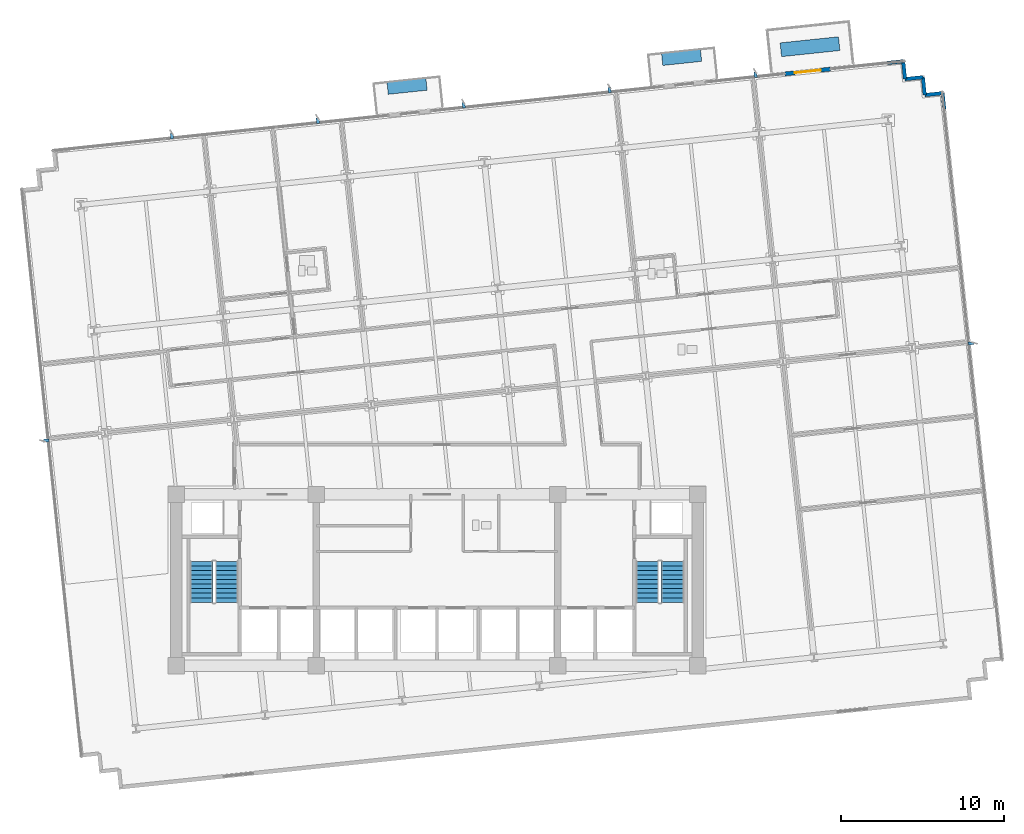
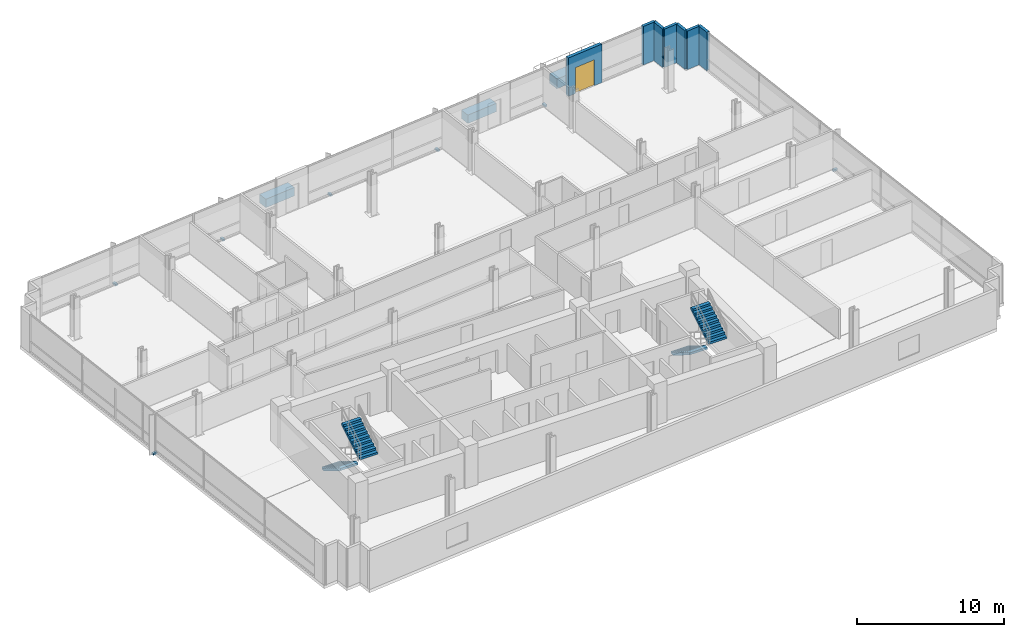
# One storey, part 16 of 21: 10 discrete accessories, 7 walls, 4 stair flights, 1 door, 1 opening, 2 elements without a shape of their own.
"""IFC4 building model written with IfcOpenShell, lengths in metres."""

from ifc_helpers import new_model, si_unit, direction, frame, frame_2d, origin, origin_2d, place, context, subcontext, project, spatial, polyline, rectangle, outline, extrude, material, layer, layer_set, type_object, element, fill, aggregate, save


model = new_model("IFC4")

# Units and contexts
model_context = context("Model", 3, precision=1e-05, world=origin(), true_north=direction((0.0, 1.0)))
body_context = subcontext(model_context, "Body", "Model", "MODEL_VIEW")
ifc_project = project(units=[si_unit("LENGTHUNIT", "METRE"), si_unit("AREAUNIT", "SQUARE_METRE"), si_unit("VOLUMEUNIT", "CUBIC_METRE"), si_unit("PLANEANGLEUNIT", "RADIAN"), si_unit("MASSUNIT", "GRAM", prefix="KILO")], contexts=[model_context])

# Site, building, storey
site_placement = place(None, origin())
site = spatial("IfcSite", under=ifc_project, at=site_placement, CompositionType="ELEMENT")
building_placement = place(site_placement, origin())
building = spatial("IfcBuilding", under=site, at=building_placement, Name="Solmavex Isthmus Hotel", CompositionType="ELEMENT")
storey_placement = place(building_placement, frame((0.0, 0.0, 106.35009765625)))
storey = spatial("IfcBuildingStorey", under=building, at=storey_placement, Name="L28", CompositionType="ELEMENT", Elevation=106.35009765625)

# Wall, opening, door
ifc_material_1 = material(Name="Precast Concrete C40/50", Category="concrete")
ifc_layer = layer(ifc_material_1, 0.25)
ifc_layer_set = layer_set([ifc_layer], Name="Precast Concrete C40/50")
wall_type = type_object("IfcWallType", Name="EW-TWR-250", PredefinedType="STANDARD", material=ifc_layer_set)
wall_1_placement = place(storey_placement, frame((21.344482421875, 23.298095703125, 0.0), z_axis=(0.0, 0.0, 1.0), x_axis=(0.994520253788, 0.104544080685, 0.0)))
wall_1 = element("IfcWall", 1, at=wall_1_placement, inside=storey, type_object=wall_type, Name="Sky Garden Terrace Access Wall L28", PredefinedType="STANDARD", context=body_context, shape_type="SweptSolid", body=[
    extrude(rectangle(XDim=2.800048828125, YDim=0.25, at=frame_2d((1.39990234375, 0.0))), origin(), (0.0, 0.0, 1.0), 3.18994140625),
])
opening_placement = place(wall_1_placement, frame((0.60009765625, 0.0, 0.0)))
opening = element("IfcOpeningElement", 2, at=opening_placement, cuts=wall_1, Name="Opening ED-03", PredefinedType="OPENING", context=body_context, shape_type="SweptSolid", body=[
    extrude(rectangle(XDim=1.60009765625, YDim=2.14990234375, at=frame_2d((0.800048828125, 1.074951171875))), frame((0.0, 0.135009765625, 0.0), z_axis=(0.0, -1.0, 0.0), x_axis=(1.0, 0.0, 0.0)), (0.0, 0.0, 1.0), 0.27001953125),
])
ifc_material_2 = material(Name="Aluminium alloy 6063-T6", Category="aluminium")
door_type = type_object("IfcDoorType", Name="EDR-SG-1600", OperationType="NOTDEFINED", PredefinedType="DOOR", material=ifc_material_2)
door_placement = place(opening_placement, origin())
door = element("IfcDoor", 3, at=door_placement, inside=storey, type_object=door_type, Name="Sky Garden Terrace Access Door L28", OperationType="DOUBLE_DOOR_SINGLE_SWING", OverallHeight=2.14990234375, OverallWidth=1.60009765625, PredefinedType="DOOR", context=body_context, shape_type="SweptSolid", body=[
    extrude(rectangle(XDim=1.60009765625, YDim=2.14990234375, at=frame_2d((0.800048828125, 1.074951171875))), frame((0.0, 0.02490234375, 0.0), z_axis=(0.0, -1.0, 0.0), x_axis=(1.0, 0.0, 0.0)), (0.0, 0.0, 1.0), 0.050048828125),
])
fill(opening, door)

# Walls
wall_2_placement = place(storey_placement, frame((27.609130859375, 23.966552734375, 0.0), z_axis=(0.0, 0.0, 1.0), x_axis=(0.994516259927, 0.104582067016, 0.0)))
element("IfcWall", 4, at=wall_2_placement, inside=storey, type_object=wall_type, Name="Serrated Corner Facade Panel L28-14", PredefinedType="STANDARD", context=body_context, shape_type="SweptSolid", body=[
    extrude(rectangle(XDim=0.98974609375, YDim=0.219970703125, at=frame_2d((0.494873046875, 0.0))), origin(), (0.0, 0.0, 1.0), 3.18994140625),
])
for number, where, z_axis, x_axis, name in (
    (5, (28.593505859375, 24.070068359375, 0.0), (0.0, 0.0, 1.0), (0.104534592565, -0.994521251134, 0.0), "Serrated Corner Facade Panel L28-15"),
    (6, (28.70849609375, 22.97607421875, 0.0), (0.0, 0.0, 1.0), (0.994521251134, 0.104534592565, 0.0), "Serrated Corner Facade Panel L28-16"),
    (7, (29.802490234375, 23.091064453125, 0.0), (0.0, 0.0, 1.0), (0.104534592565, -0.994521251134, 0.0), "Serrated Corner Facade Panel L28-17"),
    (8, (29.91748046875, 21.9970703125, 0.0), (0.0, 0.0, 1.0), (0.994521251134, 0.104534592565, 0.0), "Serrated Corner Facade Panel L28-18"),
):
    element("IfcWall", number, at=place(storey_placement, frame(where, z_axis=z_axis, x_axis=x_axis)), inside=storey, type_object=wall_type, Name=name, PredefinedType="STANDARD", context=body_context, shape_type="SweptSolid", body=[
        extrude(rectangle(XDim=1.10009765625, YDim=0.219970703125, at=frame_2d((0.550048828125, 0.0))), origin(), (0.0, 0.0, 1.0), 3.18994140625),
    ])
wall_3_placement = place(storey_placement, frame((31.011474609375, 22.112060546875, 0.0), z_axis=(0.0, 0.0, 1.0), x_axis=(0.104556418955, -0.99451895671, 0.0)))
element("IfcWall", 9, at=wall_3_placement, inside=storey, type_object=wall_type, Name="Serrated Corner Facade Panel L28-19", PredefinedType="STANDARD", context=body_context, shape_type="SweptSolid", body=[
    extrude(rectangle(XDim=0.989990234375, YDim=0.219970703125, at=frame_2d((0.4951171875, 0.0))), origin(), (0.0, 0.0, 1.0), 3.18994140625),
])

# Stair, stair flights
ifc_material_3 = material(Name="Concrete C40/50", Category="concrete")
stair_type_1 = type_object("IfcStairType", Name="STR-ST-1", PredefinedType="HALF_TURN_STAIR", material=ifc_material_3)
stair_1_placement = place(storey_placement, origin())
stair_1 = element("IfcStair", 10, at=stair_1_placement, inside=storey, type_object=stair_type_1, Name="L28 Protected Exit Stair ST-1", PredefinedType="HALF_TURN_STAIR")
stair_flight_type_1 = type_object("IfcStairFlightType", Name="SFL-ST-1", PredefinedType="STRAIGHT", material=ifc_material_3)
stair_flight_1_placement = place(storey_placement, frame((-14.449951171875, -6.60009765625, 0.0), z_axis=(0.0, 0.0, 1.0), x_axis=(0.0, -1.0, 0.0)))
stair_flight_1 = element("IfcStairFlight", 11, at=stair_flight_1_placement, type_object=stair_flight_type_1, Name="ST-1 flight 1", NumberOfRisers=10, NumberOfTreads=9, PredefinedType="STRAIGHT", RiserHeight=0.1725, TreadLength=0.28, context=body_context, shape_type="SweptSolid", body=[
    extrude(outline(polyline([(0.0, 0.0), (0.0, 0.172607421875), (0.280029296875, 0.172607421875), (0.280029296875, 0.344970703125), (0.56005859375, 0.344970703125), (0.56005859375, 0.517578125), (0.840087890625, 0.517578125), (0.840087890625, 0.68994140625), (1.1201171875, 0.68994140625), (1.1201171875, 0.862548828125), (1.39990234375, 0.862548828125), (1.39990234375, 1.034912109375), (1.679931640625, 1.034912109375), (1.679931640625, 1.20751953125), (1.9599609375, 1.20751953125), (1.9599609375, 1.3798828125), (2.239990234375, 1.3798828125), (2.239990234375, 1.552490234375), (2.52001953125, 1.552490234375), (2.52001953125, 1.72509765625), (2.52001953125, 1.37646484375), (0.285888671875, 0.0), (0.0, 0.0)])), frame((0.0, 0.699951171875, 0.0), z_axis=(0.0, -1.0, 0.0), x_axis=(1.0, 0.0, 0.0)), (0.0, 0.0, 1.0), 1.39990234375),
])
stair_flight_2_placement = place(storey_placement, frame((-12.89990234375, -9.1201171875, 1.724853515625), z_axis=(0.0, 0.0, 1.0), x_axis=(0.0, 1.0, 0.0)))
stair_flight_2 = element("IfcStairFlight", 12, at=stair_flight_2_placement, type_object=stair_flight_type_1, Name="ST-1 flight 2", NumberOfRisers=10, NumberOfTreads=9, PredefinedType="STRAIGHT", RiserHeight=0.1725, TreadLength=0.28, context=body_context, shape_type="SweptSolid", body=[
    extrude(outline(polyline([(0.0, 0.0), (0.0, 0.172607421875), (0.280029296875, 0.172607421875), (0.280029296875, 0.344970703125), (0.56005859375, 0.344970703125), (0.56005859375, 0.517578125), (0.840087890625, 0.517578125), (0.840087890625, 0.68994140625), (1.1201171875, 0.68994140625), (1.1201171875, 0.862548828125), (1.39990234375, 0.862548828125), (1.39990234375, 1.034912109375), (1.679931640625, 1.034912109375), (1.679931640625, 1.20751953125), (1.9599609375, 1.20751953125), (1.9599609375, 1.3798828125), (2.239990234375, 1.3798828125), (2.239990234375, 1.552490234375), (2.52001953125, 1.552490234375), (2.52001953125, 1.72509765625), (2.52001953125, 1.37646484375), (0.285888671875, 0.0), (0.0, 0.0)])), frame((0.0, 0.699951171875, 0.0), z_axis=(0.0, -1.0, 0.0), x_axis=(1.0, 0.0, 0.0)), (0.0, 0.0, 1.0), 1.39990234375),
])
aggregate(stair_1, [stair_flight_1, stair_flight_2])

stair_type_2 = type_object("IfcStairType", Name="STR-ST-2", PredefinedType="HALF_TURN_STAIR", material=ifc_material_3)
stair_2_placement = place(storey_placement, origin())
stair_2 = element("IfcStair", 13, at=stair_2_placement, inside=storey, type_object=stair_type_2, Name="L28 Protected Exit Stair ST-2", PredefinedType="HALF_TURN_STAIR")
stair_flight_type_2 = type_object("IfcStairFlightType", Name="SFL-ST-2", PredefinedType="STRAIGHT", material=ifc_material_3)
stair_flight_3_placement = place(storey_placement, frame((12.89990234375, -6.60009765625, 0.0), z_axis=(0.0, 0.0, 1.0), x_axis=(0.0, -1.0, 0.0)))
stair_flight_3 = element("IfcStairFlight", 14, at=stair_flight_3_placement, type_object=stair_flight_type_2, Name="ST-2 flight 1", NumberOfRisers=10, NumberOfTreads=9, PredefinedType="STRAIGHT", RiserHeight=0.1725, TreadLength=0.28, context=body_context, shape_type="SweptSolid", body=[
    extrude(outline(polyline([(0.0, 0.0), (0.0, 0.172607421875), (0.280029296875, 0.172607421875), (0.280029296875, 0.344970703125), (0.56005859375, 0.344970703125), (0.56005859375, 0.517578125), (0.840087890625, 0.517578125), (0.840087890625, 0.68994140625), (1.1201171875, 0.68994140625), (1.1201171875, 0.862548828125), (1.39990234375, 0.862548828125), (1.39990234375, 1.034912109375), (1.679931640625, 1.034912109375), (1.679931640625, 1.20751953125), (1.9599609375, 1.20751953125), (1.9599609375, 1.3798828125), (2.239990234375, 1.3798828125), (2.239990234375, 1.552490234375), (2.52001953125, 1.552490234375), (2.52001953125, 1.72509765625), (2.52001953125, 1.37646484375), (0.285888671875, 0.0), (0.0, 0.0)])), frame((0.0, 0.699951171875, 0.0), z_axis=(0.0, -1.0, 0.0), x_axis=(1.0, 0.0, 0.0)), (0.0, 0.0, 1.0), 1.39990234375),
])
stair_flight_4_placement = place(storey_placement, frame((14.449951171875, -9.1201171875, 1.724853515625), z_axis=(0.0, 0.0, 1.0), x_axis=(0.0, 1.0, 0.0)))
stair_flight_4 = element("IfcStairFlight", 15, at=stair_flight_4_placement, type_object=stair_flight_type_2, Name="ST-2 flight 2", NumberOfRisers=10, NumberOfTreads=9, PredefinedType="STRAIGHT", RiserHeight=0.1725, TreadLength=0.28, context=body_context, shape_type="SweptSolid", body=[
    extrude(outline(polyline([(0.0, 0.0), (0.0, 0.172607421875), (0.280029296875, 0.172607421875), (0.280029296875, 0.344970703125), (0.56005859375, 0.344970703125), (0.56005859375, 0.517578125), (0.840087890625, 0.517578125), (0.840087890625, 0.68994140625), (1.1201171875, 0.68994140625), (1.1201171875, 0.862548828125), (1.39990234375, 0.862548828125), (1.39990234375, 1.034912109375), (1.679931640625, 1.034912109375), (1.679931640625, 1.20751953125), (1.9599609375, 1.20751953125), (1.9599609375, 1.3798828125), (2.239990234375, 1.3798828125), (2.239990234375, 1.552490234375), (2.52001953125, 1.552490234375), (2.52001953125, 1.72509765625), (2.52001953125, 1.37646484375), (0.285888671875, 0.0), (0.0, 0.0)])), frame((0.0, 0.699951171875, 0.0), z_axis=(0.0, -1.0, 0.0), x_axis=(1.0, 0.0, 0.0)), (0.0, 0.0, 1.0), 1.39990234375),
])
aggregate(stair_2, [stair_flight_3, stair_flight_4])

# Discrete accessories
ifc_material_4 = material(Name="Steel ASTM A572 Grade 50", Category="steel")
discrete_accessory_type_1 = type_object("IfcDiscreteAccessoryType", Name="ACC-BRK-FIN", PredefinedType="BRACKET", material=ifc_material_4)
for number, where, z_axis, x_axis, name in (
    (16, (-16.262939453125, 19.486083984375, -0.169921875), (0.0, 0.0, 1.0), (-0.104528463268, 0.994521895368, 0.0), "Facade Fin Support Bracket L28-N1"),
    (17, (-7.312255859375, 20.4267578125, -0.169921875), (0.0, 0.0, 1.0), (-0.104528463268, 0.994521895368, 0.0), "Facade Fin Support Bracket L28-N2"),
    (18, (1.638427734375, 21.36767578125, -0.169921875), (0.0, 0.0, 1.0), (-0.104528463268, 0.994521895368, 0.0), "Facade Fin Support Bracket L28-N3"),
    (19, (10.589111328125, 22.308349609375, -0.169921875), (0.0, 0.0, 1.0), (-0.104528463268, 0.994521895368, 0.0), "Facade Fin Support Bracket L28-N4"),
    (20, (19.539794921875, 23.2490234375, -0.169921875), (0.0, 0.0, 1.0), (-0.104528463268, 0.994521895368, 0.0), "Facade Fin Support Bracket L28-N5"),
    (21, (-23.972900390625, 0.807861328125, -0.169921875), (0.0, 0.0, 1.0), (-0.994521895368, -0.104528463268, 0.0), "Facade Fin Support Bracket L28-W1"),
    (22, (32.754638671875, 6.770263671875, -0.169921875), (0.0, 0.0, 1.0), (0.994521895368, 0.104528463268, 0.0), "Facade Fin Support Bracket L28-E1"),
):
    element("IfcDiscreteAccessory", number, at=place(storey_placement, frame(where, z_axis=z_axis, x_axis=x_axis)), inside=storey, type_object=discrete_accessory_type_1, Name=name, PredefinedType="BRACKET", context=body_context, shape_type="SweptSolid", body=[
        extrude(rectangle(XDim=0.340087890625, YDim=0.179931640625, at=origin_2d()), origin(), (0.0, 0.0, 1.0), 0.159912109375),
    ])
discrete_accessory_type_2 = type_object("IfcDiscreteAccessoryType", Name="ACC-PLN-BALC", PredefinedType="USERDEFINED", material=ifc_material_1)
for number, where, z_axis, x_axis, name in (
    (23, (-1.836181640625, 22.540771484375, 0.0), (0.0, 0.0, 1.0), (0.994521895368, 0.104528463268, 0.0), "Tree-Balcony Architectural Planter L28-B1"),
    (24, (15.0029296875, 24.310791015625, 0.0), (0.0, 0.0, 1.0), (0.994521895368, 0.104528463268, 0.0), "Tree-Balcony Architectural Planter L28-B2"),
):
    element("IfcDiscreteAccessory", number, at=place(storey_placement, frame(where, z_axis=z_axis, x_axis=x_axis)), inside=storey, type_object=discrete_accessory_type_2, Name=name, ObjectType="PLANTER", PredefinedType="USERDEFINED", context=body_context, shape_type="SweptSolid", body=[
        extrude(rectangle(XDim=2.39990234375, YDim=0.75, at=origin_2d()), origin(), (0.0, 0.0, 1.0), 0.699951171875),
    ])
discrete_accessory_type_3 = type_object("IfcDiscreteAccessoryType", Name="ACC-PLN-SG", PredefinedType="USERDEFINED", material=ifc_material_1)
discrete_accessory_placement = place(storey_placement, frame((22.87890625, 24.963134765625, 0.0), z_axis=(0.0, 0.0, 1.0), x_axis=(0.994521895368, 0.104528463268, 0.0)))
element("IfcDiscreteAccessory", 25, at=discrete_accessory_placement, inside=storey, type_object=discrete_accessory_type_3, Name="Sky-Garden & Terrace Botanical Tree Planter L28-T1", ObjectType="PLANTER", PredefinedType="USERDEFINED", context=body_context, shape_type="SweptSolid", body=[
    extrude(rectangle(XDim=3.60009765625, YDim=0.85009765625, at=origin_2d()), origin(), (0.0, 0.0, 1.0), 0.800048828125),
])

save(model, "model.ifc")
